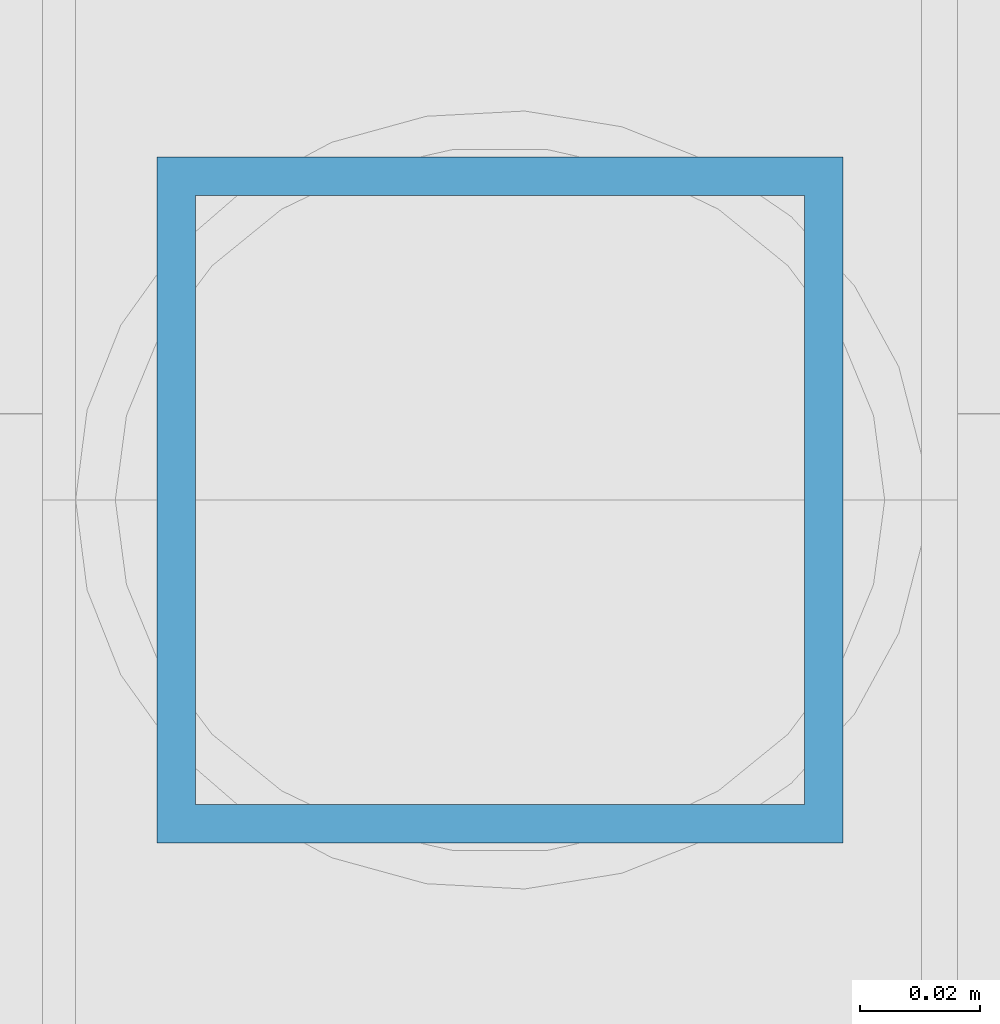
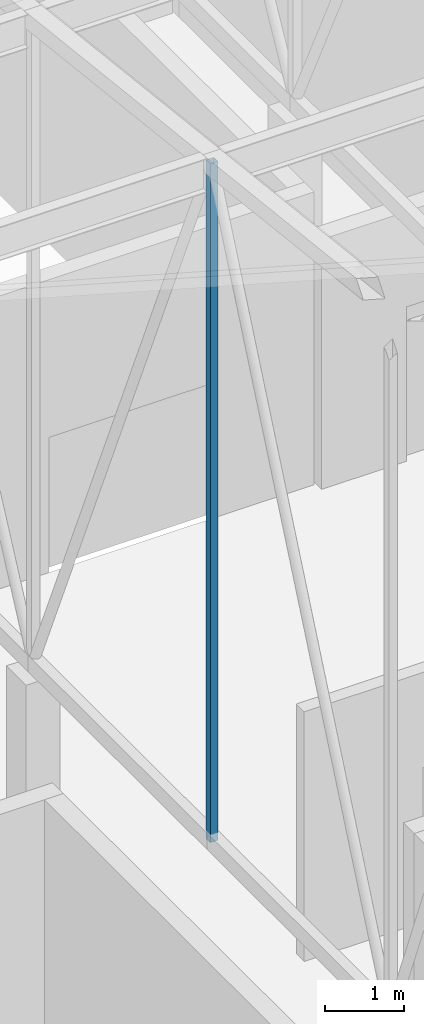
# One storey, part 291 of 500: 1 member.
"""IFC4 building model written with IfcOpenShell, lengths in metres."""

from ifc_helpers import new_model, si_unit, direction, frame, origin, origin_2d, place, context, subcontext, project, spatial, hollow_rectangle, extrude, material, material_profile, profile_set, type_object, element, save


model = new_model("IFC4")

# Units and contexts
model_context = context("Model", 3, precision=1e-05, world=origin(), true_north=direction((0.0, 1.0)))
body_context = subcontext(model_context, "Body", "Model", "MODEL_VIEW")
ifc_project = project(units=[si_unit("LENGTHUNIT", "METRE"), si_unit("AREAUNIT", "SQUARE_METRE"), si_unit("VOLUMEUNIT", "CUBIC_METRE"), si_unit("PLANEANGLEUNIT", "RADIAN"), si_unit("MASSUNIT", "GRAM", prefix="KILO")], contexts=[model_context])

# Site, building, storey
site_placement = place(None, origin())
site = spatial("IfcSite", under=ifc_project, at=site_placement, CompositionType="ELEMENT")
building_placement = place(site_placement, origin())
building = spatial("IfcBuilding", under=site, at=building_placement, Name="Shirokan Park Arena", CompositionType="ELEMENT")
storey_placement = place(building_placement, frame((0.0, 0.0, 29.1201171875)))
storey = spatial("IfcBuildingStorey", under=building, at=storey_placement, Name="L06", CompositionType="ELEMENT", Elevation=29.1201171875)

# Member
ifc_material = material(Name="Steel ASTM A500 Grade C", Category="steel")
ifc_material_profile = material_profile(ifc_material, hollow_rectangle(XDim=0.114013671875, YDim=0.114013671875, WallThickness=0.00634765625, at=origin_2d()), Name="HSS114.3X114.3X6.4")
ifc_profile_set = profile_set([ifc_material_profile], Name="Steel ASTM A500 Grade C")
member_type = type_object("IfcMemberType", Name="Truss post HSS114.3X114.3X6.4", PredefinedType="POST", material=ifc_profile_set)
member_placement = place(storey_placement, frame((109.199951171875, 86.449951171875, 4.677001953125), z_axis=(0.0, 0.0, 1.0), x_axis=(1.0, 0.0, 0.0)))
element("IfcMember", 1, at=member_placement, inside=storey, type_object=member_type, Name="Truss T13 post 22", PredefinedType="POST", context=body_context, shape_type="SweptSolid", body=[
    extrude(hollow_rectangle(XDim=0.114013671875, YDim=0.114013671875, WallThickness=0.00634765625, at=origin_2d()), origin(), (0.0, 0.0, 1.0), 10.5458984375),
])

save(model, "model.ifc")
